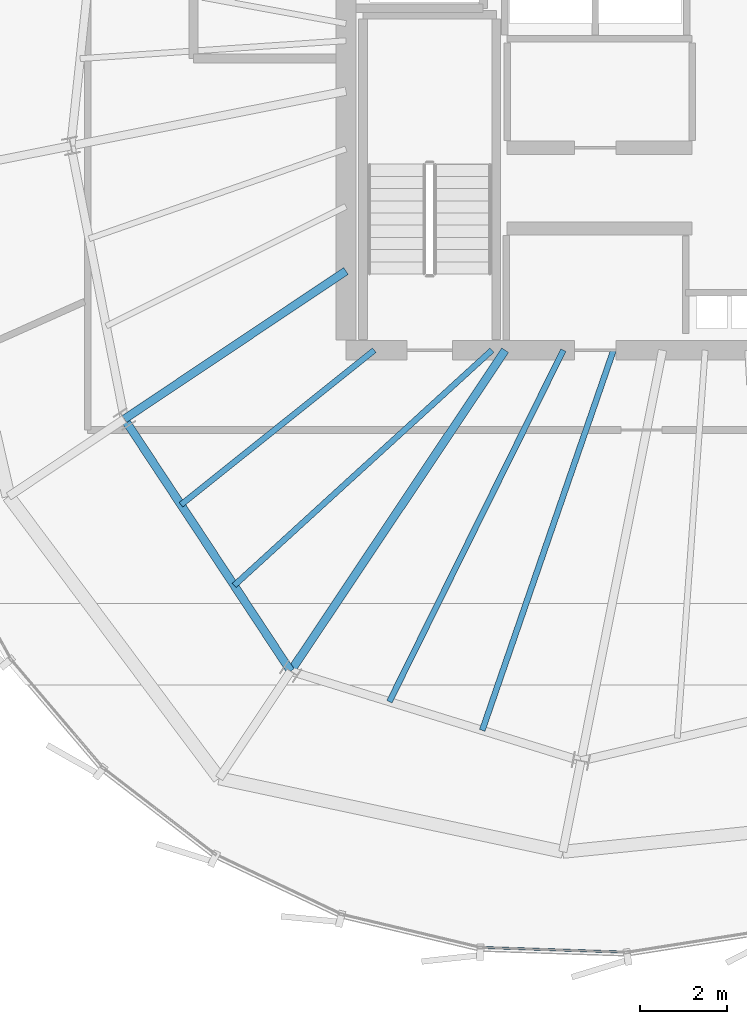
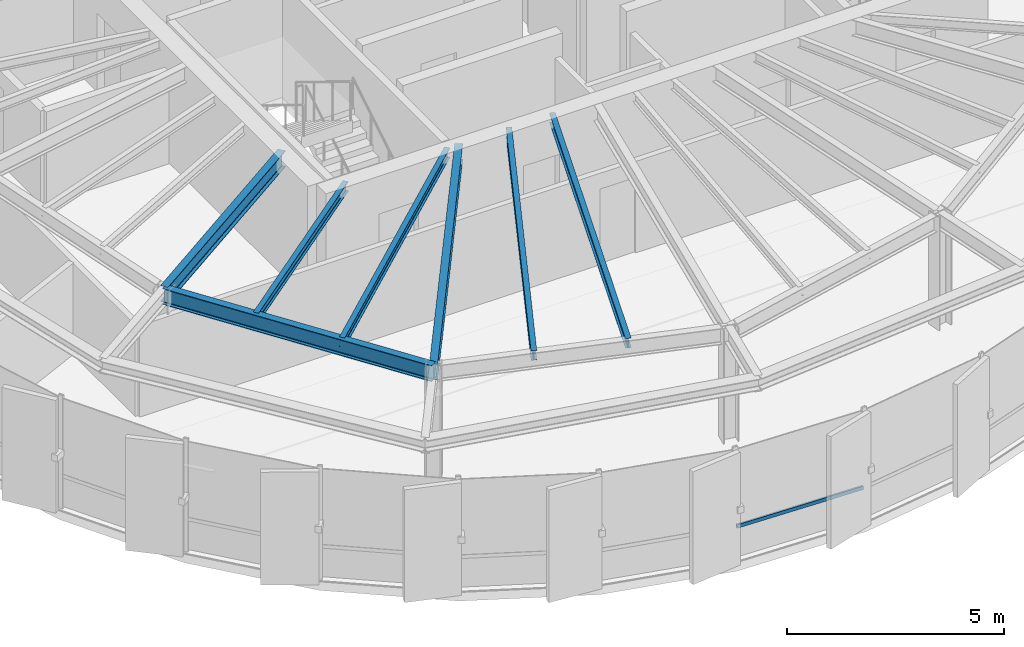
# One storey, part 5 of 31: 7 beams, 1 member, 1 element without a shape of its own.
"""IFC4 building model written with IfcOpenShell, lengths in metres."""

from ifc_helpers import new_model, si_unit, direction, frame, origin, origin_2d, place, context, subcontext, project, spatial, hollow_rectangle, i_section, extrude, source, transform, mapped, material, layer, layer_set, material_profile, profile_set, type_object, element, aggregate, save


model = new_model("IFC4")

# Units and contexts
model_context = context("Model", 3, precision=1e-05, world=origin(), true_north=direction((0.0, 1.0)))
body_context = subcontext(model_context, "Body", "Model", "MODEL_VIEW")
ifc_project = project(units=[si_unit("LENGTHUNIT", "METRE"), si_unit("AREAUNIT", "SQUARE_METRE"), si_unit("VOLUMEUNIT", "CUBIC_METRE"), si_unit("PLANEANGLEUNIT", "RADIAN"), si_unit("MASSUNIT", "GRAM", prefix="KILO"), si_unit("THERMODYNAMICTEMPERATUREUNIT", "KELVIN")], contexts=[model_context])

# Site, building, storey
site_placement = place(None, origin())
site = spatial("IfcSite", under=ifc_project, at=site_placement, CompositionType="ELEMENT")
building_placement = place(site_placement, origin())
building = spatial("IfcBuilding", under=site, at=building_placement, Name="Kethvar Cultural Tower", CompositionType="ELEMENT")
storey_placement = place(building_placement, frame((0.0, 0.0, 269.800048828125)))
storey = spatial("IfcBuildingStorey", under=building, at=storey_placement, Name="L71", CompositionType="ELEMENT", Elevation=269.800048828125)

# Beams
ifc_material_1 = material(Name="Steel S355J2", Category="steel")
ifc_material_profile_1 = material_profile(ifc_material_1, i_section(OverallWidth=0.18994140625, OverallDepth=0.449951171875, WebThickness=0.009521484375, FlangeThickness=0.0146484375, FilletRadius=0.02099609375, at=origin_2d()), Name="Steel S355J2 — IPE450")
ifc_profile_set_1 = profile_set([ifc_material_profile_1], Name="Steel S355J2 — IPE450")
beam_type_1 = type_object("IfcBeamType", Name="BM-IPE450", PredefinedType="BEAM", material=ifc_profile_set_1)
shared_shape_1 = source(origin(), body_context, "Body", "SweptSolid", [
    extrude(i_section(OverallWidth=0.18994140625, OverallDepth=0.449951171875, WebThickness=0.009521484375, FlangeThickness=0.0146484375, FilletRadius=0.02099609375, at=origin_2d()), origin(), (0.0, 0.0, 1.0), 6.118408203125),
])
beam_1_placement = place(storey_placement, frame((38.0, 21.920166015625, 2.98291015625), z_axis=(-0.831466631282, -0.555574694406, 0.0), x_axis=(0.555574694406, -0.831466631282, 0.0)))
element("IfcBeam", 1, at=beam_1_placement, inside=storey, type_object=beam_type_1, Name="L71 Primary Radial Beam RB-10", PredefinedType="BEAM", context=body_context, shape_type="MappedRepresentation", body=[
    mapped(shared_shape_1, transform((0.0, 0.0, 0.0), scale=1.0)),
])
shared_shape_2 = source(origin(), body_context, "Body", "SweptSolid", [
    extrude(i_section(OverallWidth=0.18994140625, OverallDepth=0.449951171875, WebThickness=0.009521484375, FlangeThickness=0.0146484375, FilletRadius=0.02099609375, at=origin_2d()), origin(), (0.0, 0.0, 1.0), 8.86279296875),
])
beam_2_placement = place(storey_placement, frame((41.655029296875, 20.10009765625, 2.98291015625), z_axis=(-0.555564443415, -0.831473480764, 0.0), x_axis=(0.831473480764, -0.555564443415, 0.0)))
element("IfcBeam", 2, at=beam_2_placement, inside=storey, type_object=beam_type_1, Name="L71 Primary Radial Beam RB-11", PredefinedType="BEAM", context=body_context, shape_type="MappedRepresentation", body=[
    mapped(shared_shape_2, transform((0.0, 0.0, 0.0), scale=1.0)),
])
shared_shape_3 = source(origin(), body_context, "Body", "SweptSolid", [
    extrude(i_section(OverallWidth=0.18994140625, OverallDepth=0.449951171875, WebThickness=0.009521484375, FlangeThickness=0.0146484375, FilletRadius=0.02099609375, at=origin_2d()), origin(), (0.0, 0.0, 1.0), 6.935791015625),
])
beam_3_placement = place(storey_placement, frame((32.912841796875, 18.52099609375, 2.98291015625), z_axis=(0.550534204139, -0.834812607759, 0.0), x_axis=(0.834812607759, 0.550534204139, 0.0)))
element("IfcBeam", 3, at=beam_3_placement, inside=storey, type_object=beam_type_1, Name="L71 Column Ring Tie Beam CR-10", PredefinedType="BEAM", context=body_context, shape_type="MappedRepresentation", body=[
    mapped(shared_shape_3, transform((0.0, 0.0, 0.0), scale=1.0)),
])
ifc_material_profile_2 = material_profile(ifc_material_1, i_section(OverallWidth=0.135009765625, OverallDepth=0.27001953125, WebThickness=0.006591796875, FlangeThickness=0.01025390625, FilletRadius=0.014892578125, at=origin_2d()), Name="Steel S355J2 — IPE270")
ifc_profile_set_2 = profile_set([ifc_material_profile_2], Name="Steel S355J2 — IPE270")
beam_type_2 = type_object("IfcBeamType", Name="BM-J270", PredefinedType="JOIST", material=ifc_profile_set_2)
shared_shape_4 = source(origin(), body_context, "Body", "SweptSolid", [
    extrude(i_section(OverallWidth=0.135009765625, OverallDepth=0.27001953125, WebThickness=0.006591796875, FlangeThickness=0.01025390625, FilletRadius=0.014892578125, at=origin_2d()), origin(), (0.0, 0.0, 1.0), 5.68212890625),
])
beam_4_placement = place(storey_placement, frame((38.64990234375, 20.10009765625, 3.072998046875), z_axis=(-0.781157957733, -0.624333440615, 0.0), x_axis=(0.624333440615, -0.781157957733, 0.0)))
element("IfcBeam", 4, at=beam_4_placement, inside=storey, type_object=beam_type_2, Name="L71 Composite Floor Joist J-10A", PredefinedType="JOIST", context=body_context, shape_type="MappedRepresentation", body=[
    mapped(shared_shape_4, transform((0.0, 0.0, 0.0), scale=1.0)),
])
shared_shape_5 = source(origin(), body_context, "Body", "SweptSolid", [
    extrude(i_section(OverallWidth=0.135009765625, OverallDepth=0.27001953125, WebThickness=0.006591796875, FlangeThickness=0.01025390625, FilletRadius=0.014892578125, at=origin_2d()), origin(), (0.0, 0.0, 1.0), 8.010986328125),
])
beam_5_placement = place(storey_placement, frame((41.35009765625, 20.10009765625, 3.072998046875), z_axis=(-0.738614798856, -0.674127717061, 0.0), x_axis=(0.674127717061, -0.738614798856, 0.0)))
element("IfcBeam", 5, at=beam_5_placement, inside=storey, type_object=beam_type_2, Name="L71 Composite Floor Joist J-10B", PredefinedType="JOIST", context=body_context, shape_type="MappedRepresentation", body=[
    mapped(shared_shape_5, transform((0.0, 0.0, 0.0), scale=1.0)),
])
shared_shape_6 = source(origin(), body_context, "Body", "SweptSolid", [
    extrude(i_section(OverallWidth=0.135009765625, OverallDepth=0.27001953125, WebThickness=0.006591796875, FlangeThickness=0.01025390625, FilletRadius=0.014892578125, at=origin_2d()), origin(), (0.0, 0.0, 1.0), 9.00341796875),
])
beam_6_placement = place(storey_placement, frame((42.989501953125, 20.10009765625, 3.072998046875), z_axis=(-0.443543695319, -0.896252749141, 0.0), x_axis=(0.896252749141, -0.443543695319, 0.0)))
element("IfcBeam", 6, at=beam_6_placement, inside=storey, type_object=beam_type_2, Name="L71 Composite Floor Joist J-11A", PredefinedType="JOIST", context=body_context, shape_type="MappedRepresentation", body=[
    mapped(shared_shape_6, transform((0.0, 0.0, 0.0), scale=1.0)),
])
shared_shape_7 = source(origin(), body_context, "Body", "SweptSolid", [
    extrude(i_section(OverallWidth=0.135009765625, OverallDepth=0.27001953125, WebThickness=0.006591796875, FlangeThickness=0.01025390625, FilletRadius=0.014892578125, at=origin_2d()), origin(), (0.0, 0.0, 1.0), 9.234130859375),
])
beam_7_placement = place(storey_placement, frame((44.1416015625, 20.10009765625, 3.072998046875), z_axis=(-0.326362208058, -0.945244787953, 0.0), x_axis=(0.945244787953, -0.326362208058, 0.0)))
element("IfcBeam", 7, at=beam_7_placement, inside=storey, type_object=beam_type_2, Name="L71 Composite Floor Joist J-11B", PredefinedType="JOIST", context=body_context, shape_type="MappedRepresentation", body=[
    mapped(shared_shape_7, transform((0.0, 0.0, 0.0), scale=1.0)),
])

# Curtain wall, member
ifc_material_2 = material(Name="Aluminium 6063-T6", Category="aluminium")
ifc_layer = layer(ifc_material_2, 0.179931640625, Name="Aluminium 6063-T6", Category="aluminium")
ifc_layer_set = layer_set([ifc_layer], Name="Aluminium 6063-T6 (180 mm)")
curtain_wall_type = type_object("IfcCurtainWallType", Name="CW-SYS-05-Z56", PredefinedType="NOTDEFINED", material=ifc_layer_set)
curtain_wall_placement = place(storey_placement, origin())
curtain_wall = element("IfcCurtainWall", 8, at=curtain_wall_placement, inside=storey, type_object=curtain_wall_type, Name="L71 Curtain Wall Run 04", PredefinedType="NOTDEFINED")
ifc_material_profile_3 = material_profile(ifc_material_2, hollow_rectangle(XDim=0.050048828125, YDim=0.10009765625, WallThickness=0.00390625, at=origin_2d()), Name="Aluminium 6063-T6 — RHS100x50x4")
ifc_profile_set_3 = profile_set([ifc_material_profile_3], Name="Aluminium 6063-T6 — RHS100x50x4")
member_type = type_object("IfcMemberType", Name="CW-SYS-05-Z56-TRN", PredefinedType="USERDEFINED", material=ifc_profile_set_3)
shared_shape_8 = source(origin(), body_context, "Body", "SweptSolid", [
    extrude(hollow_rectangle(XDim=0.050048828125, YDim=0.10009765625, WallThickness=0.00390625, at=origin_2d()), origin(), (0.0, 0.0, 1.0), 3.302490234375),
])
member_placement = place(storey_placement, frame((41.124755859375, 6.3876953125, 0.949951171875), z_axis=(0.999468445969, -0.032601004783, 0.0), x_axis=(0.032601004783, 0.999468445969, 0.0)))
member = element("IfcMember", 9, at=member_placement, type_object=member_type, Name="CW-L71-R04 Transom 3", ObjectType="TRANSOM", PredefinedType="USERDEFINED", context=body_context, shape_type="MappedRepresentation", body=[
    mapped(shared_shape_8, transform((0.0, 0.0, 0.0), scale=1.0)),
])
aggregate(curtain_wall, [member])

save(model, "model.ifc")
